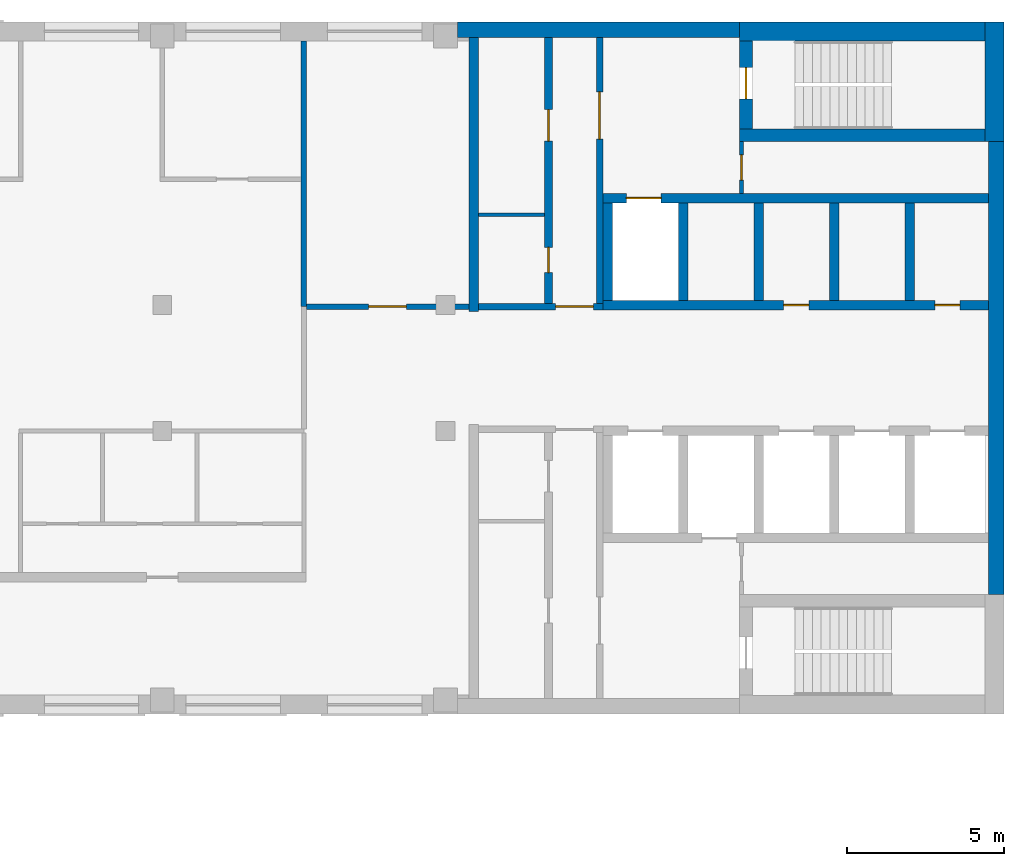
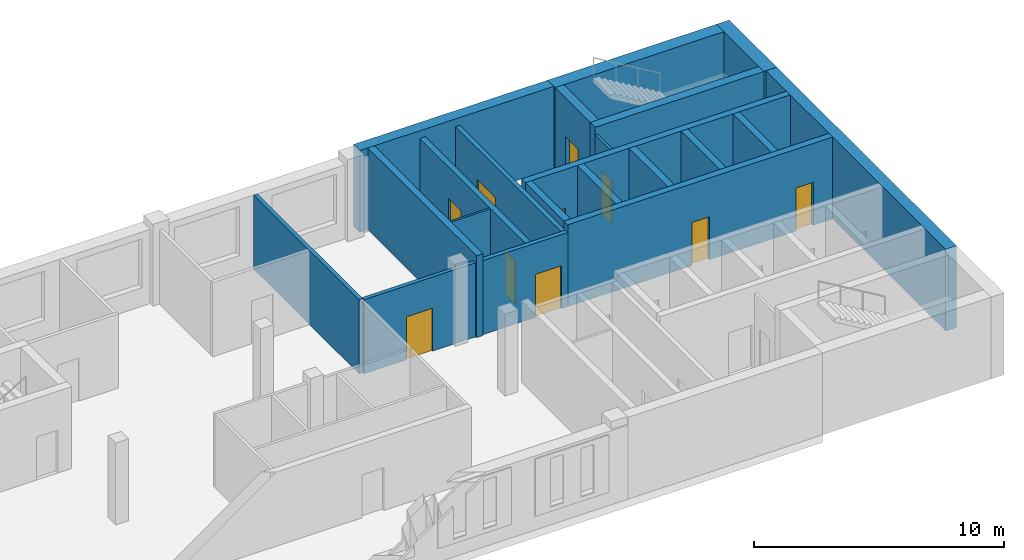
# One storey, part 6 of 8: 21 walls, 10 doors, 10 openings.
"""IFC4 building model written with IfcOpenShell, lengths in metres."""

from ifc_helpers import new_model, si_unit, direction, frame, frame_2d, origin, place, context, subcontext, project, spatial, rectangle, extrude, material, layer, layer_set, type_object, element, fill, save


model = new_model("IFC4")

# Units and contexts
model_context = context("Model", 3, precision=1e-05, world=origin(), true_north=direction((0.0, 1.0)))
body_context = subcontext(model_context, "Body", "Model", "MODEL_VIEW")
ifc_project = project(units=[si_unit("LENGTHUNIT", "METRE"), si_unit("AREAUNIT", "SQUARE_METRE"), si_unit("VOLUMEUNIT", "CUBIC_METRE"), si_unit("PLANEANGLEUNIT", "RADIAN"), si_unit("MASSUNIT", "GRAM", prefix="KILO")], contexts=[model_context])

# Site, building, storey
site_placement = place(None, origin())
site = spatial("IfcSite", under=ifc_project, at=site_placement, CompositionType="ELEMENT")
building_placement = place(site_placement, origin())
building = spatial("IfcBuilding", under=site, at=building_placement, Name="Skarvind Civic Tower", CompositionType="ELEMENT")
storey_placement = place(building_placement, frame((0.0, 0.0, 200.0)))
storey = spatial("IfcBuildingStorey", under=building, at=storey_placement, Name="L47", CompositionType="ELEMENT", Elevation=200.0)

# Wall
ifc_material_1 = material(Name="Acoustic gypsum board on steel studs", Category="steel")
ifc_layer_1 = layer(ifc_material_1, 0.175048828125)
ifc_layer_set_1 = layer_set([ifc_layer_1], Name="ACOUSTIC MEETING-ROOM PARTITION 175")
wall_type_1 = type_object("IfcWallType", Name="ACOUSTIC MEETING-ROOM PARTITION 175", PredefinedType="PARTITIONING", material=ifc_layer_set_1)
wall_1_placement = place(storey_placement, frame((85.75, 129.949951171875, 0.0), z_axis=(0.0, 0.0, 1.0), x_axis=(0.0, 1.0, 0.0)))
element("IfcWall", 1, at=wall_1_placement, inside=storey, type_object=wall_type_1, Name="Partition 47.033", PredefinedType="PARTITIONING", context=body_context, shape_type="SweptSolid", body=[
    extrude(rectangle(XDim=8.449951171875, YDim=0.175048828125, at=frame_2d((4.22509765625, 0.0))), origin(), (0.0, 0.0, 1.0), 3.625),
])

# Wall, opening, door
wall_2_placement = place(storey_placement, frame((85.837890625, 129.949951171875, 0.0), z_axis=(0.0, 0.0, 1.0), x_axis=(1.0, 0.0, 0.0)))
wall_2 = element("IfcWall", 2, at=wall_2_placement, inside=storey, type_object=wall_type_1, Name="Partition 47.035", PredefinedType="PARTITIONING", context=body_context, shape_type="SweptSolid", body=[
    extrude(rectangle(XDim=5.162109375, YDim=0.175048828125, at=frame_2d((2.5810546875, 0.0))), origin(), (0.0, 0.0, 1.0), 3.625),
])
opening_1_placement = place(wall_2_placement, frame((1.970947265625, 0.0, 0.0)))
opening_1 = element("IfcOpeningElement", 3, at=opening_1_placement, cuts=wall_2, Name="Opening L47-D001", PredefinedType="OPENING", context=body_context, shape_type="SweptSolid", body=[
    extrude(rectangle(XDim=1.199951171875, YDim=2.10009765625, at=frame_2d((0.60009765625, 1.050048828125))), frame((0.0, 0.097412109375, 0.0), z_axis=(0.0, -1.0, 0.0), x_axis=(1.0, 0.0, 0.0)), (0.0, 0.0, 1.0), 0.195068359375),
])
ifc_material_2 = material(Name="Timber door leaf", Category="wood")
door_type_1 = type_object("IfcDoorType", Name="DOOR 1200X2100 DOUBLE TIMBER", OperationType="NOTDEFINED", PredefinedType="DOOR", material=ifc_material_2)
door_1_placement = place(opening_1_placement, origin())
door_1 = element("IfcDoor", 4, at=door_1_placement, inside=storey, type_object=door_type_1, Name="Door L47-D001", OperationType="DOUBLE_DOOR_SINGLE_SWING", OverallHeight=2.10009765625, OverallWidth=1.199951171875, PredefinedType="DOOR", context=body_context, shape_type="SweptSolid", body=[
    extrude(rectangle(XDim=1.199951171875, YDim=2.10009765625, at=frame_2d((0.60009765625, 1.050048828125))), frame((0.0, 0.02490234375, 0.0), z_axis=(0.0, -1.0, 0.0), x_axis=(1.0, 0.0, 0.0)), (0.0, 0.0, 1.0), 0.050048828125),
])
fill(opening_1, door_1)

ifc_material_3 = material(Name="Fire-rated masonry partition", Category="masonry")
ifc_layer_2 = layer(ifc_material_3, 0.199951171875)
ifc_layer_set_2 = layer_set([ifc_layer_2], Name="Core enclosure wall 200")
wall_type_2 = type_object("IfcWallType", Name="Core enclosure wall 200", PredefinedType="PARTITIONING", material=ifc_layer_set_2)
wall_3_placement = place(storey_placement, frame((91.300048828125, 129.949951171875, 0.0), z_axis=(0.0, 0.0, 1.0), x_axis=(1.0, 0.0, 0.0)))
wall_3 = element("IfcWall", 5, at=wall_3_placement, inside=storey, type_object=wall_type_2, Name="Core wall C1", PredefinedType="PARTITIONING", context=body_context, shape_type="SweptSolid", body=[
    extrude(rectangle(XDim=3.949951171875, YDim=0.199951171875, at=frame_2d((1.97509765625, 0.0))), origin(), (0.0, 0.0, 1.0), 3.625),
])
opening_2_placement = place(wall_3_placement, frame((2.449951171875, 0.0, 0.0)))
opening_2 = element("IfcOpeningElement", 6, at=opening_2_placement, cuts=wall_3, Name="Opening D-L47-C1-13", PredefinedType="OPENING", context=body_context, shape_type="SweptSolid", body=[
    extrude(rectangle(XDim=1.199951171875, YDim=2.10009765625, at=frame_2d((0.60009765625, 1.050048828125))), frame((0.0, 0.10986328125, 0.0), z_axis=(0.0, -1.0, 0.0), x_axis=(1.0, 0.0, 0.0)), (0.0, 0.0, 1.0), 0.219970703125),
])
ifc_material_4 = material(Name="Fire-rated steel door", Category="steel")
door_type_2 = type_object("IfcDoorType", Name="Core lobby door 1200", OperationType="NOTDEFINED", PredefinedType="DOOR", material=ifc_material_4)
door_2_placement = place(opening_2_placement, origin())
door_2 = element("IfcDoor", 7, at=door_2_placement, inside=storey, type_object=door_type_2, Name="Fire door", OperationType="DOUBLE_DOOR_SINGLE_SWING", OverallHeight=2.10009765625, OverallWidth=1.199951171875, PredefinedType="DOOR", context=body_context, shape_type="SweptSolid", body=[
    extrude(rectangle(XDim=1.199951171875, YDim=2.10009765625, at=frame_2d((0.60009765625, 1.050048828125))), frame((0.0, 0.02490234375, 0.0), z_axis=(0.0, -1.0, 0.0), x_axis=(1.0, 0.0, 0.0)), (0.0, 0.0, 1.0), 0.050048828125),
])
fill(opening_2, door_2)

wall_4_placement = place(storey_placement, frame((95.14990234375, 130.050048828125, 0.0), z_axis=(0.0, 0.0, 1.0), x_axis=(0.0, 1.0, 0.0)))
wall_4 = element("IfcWall", 8, at=wall_4_placement, inside=storey, type_object=wall_type_2, Name="Core wall C1", PredefinedType="PARTITIONING", context=body_context, shape_type="SweptSolid", body=[
    extrude(rectangle(XDim=8.449951171875, YDim=0.199951171875, at=frame_2d((4.22509765625, 0.0))), origin(), (0.0, 0.0, 1.0), 3.625),
])
opening_3_placement = place(wall_4_placement, frame((5.22509765625, 0.0, 0.0)))
opening_3 = element("IfcOpeningElement", 9, at=opening_3_placement, cuts=wall_4, Name="Opening D-L47-C1-14", PredefinedType="OPENING", context=body_context, shape_type="SweptSolid", body=[
    extrude(rectangle(XDim=1.5, YDim=2.10009765625, at=frame_2d((0.75, 1.050048828125))), frame((0.0, 0.10986328125, 0.0), z_axis=(0.0, -1.0, 0.0), x_axis=(1.0, 0.0, 0.0)), (0.0, 0.0, 1.0), 0.219970703125),
])
door_type_3 = type_object("IfcDoorType", Name="Fire door 1500", OperationType="NOTDEFINED", PredefinedType="DOOR", material=ifc_material_4)
door_3_placement = place(opening_3_placement, origin())
door_3 = element("IfcDoor", 10, at=door_3_placement, inside=storey, type_object=door_type_3, Name="Fire door", OperationType="DOUBLE_DOOR_SINGLE_SWING", OverallHeight=2.10009765625, OverallWidth=1.5, PredefinedType="DOOR", context=body_context, shape_type="SweptSolid", body=[
    extrude(rectangle(XDim=1.5, YDim=2.10009765625, at=frame_2d((0.75, 1.050048828125))), frame((0.0, 0.02490234375, 0.0), z_axis=(0.0, -1.0, 0.0), x_axis=(1.0, 0.0, 0.0)), (0.0, 0.0, 1.0), 0.050048828125),
])
fill(opening_3, door_3)

# Wall
ifc_material_5 = material(Name="Fire-rated plasterboard partition")
ifc_layer_3 = layer(ifc_material_5, 0.10009765625)
ifc_layer_set_3 = layer_set([ifc_layer_3], Name="Core partition wall 100")
wall_type_3 = type_object("IfcWallType", Name="Core partition wall 100", PredefinedType="PARTITIONING", material=ifc_layer_set_3)
wall_5_placement = place(storey_placement, frame((91.300048828125, 132.8701171875, 0.0), z_axis=(0.0, 0.0, 1.0), x_axis=(1.0, 0.0, 0.0)))
element("IfcWall", 11, at=wall_5_placement, inside=storey, type_object=wall_type_3, Name="Core wall C1", PredefinedType="PARTITIONING", context=body_context, shape_type="SweptSolid", body=[
    extrude(rectangle(XDim=2.099853515625, YDim=0.10009765625, at=frame_2d((1.0498046875, 0.0))), origin(), (0.0, 0.0, 1.0), 3.625),
])

# Wall, openings, doors
ifc_material_6 = material(Name="Concrete C60", Category="concrete")
ifc_layer_4 = layer(ifc_material_6, 0.300048828125)
ifc_layer_set_4 = layer_set([ifc_layer_4], Name="Core wall 300 C60")
wall_type_4 = type_object("IfcWallType", Name="Core wall 300 C60", PredefinedType="SHEAR", material=ifc_layer_set_4)
wall_6_placement = place(storey_placement, frame((107.5, 130.0, 0.0), z_axis=(0.0, 0.0, 1.0), x_axis=(-1.0, 0.0, 0.0)))
wall_6 = element("IfcWall", 12, at=wall_6_placement, inside=storey, type_object=wall_type_4, Name="Core wall C1 south lift row front L47", PredefinedType="SHEAR", context=body_context, shape_type="SweptSolid", body=[
    extrude(rectangle(XDim=12.25, YDim=0.300048828125, at=frame_2d((6.125, 0.0))), origin(), (0.0, 0.0, 1.0), 4.0),
])
opening_4_placement = place(wall_6_placement, frame((0.89990234375, 0.0, 0.0)))
opening_4 = element("IfcOpeningElement", 13, at=opening_4_placement, cuts=wall_6, Name="Opening D-L47-C1-05", PredefinedType="OPENING", context=body_context, shape_type="SweptSolid", body=[
    extrude(rectangle(XDim=0.800048828125, YDim=2.10009765625, at=frame_2d((0.39990234375, 1.050048828125))), frame((0.0, 0.159912109375, 0.0), z_axis=(0.0, -1.0, 0.0), x_axis=(1.0, 0.0, 0.0)), (0.0, 0.0, 1.0), 0.320068359375),
])
opening_5_placement = place(wall_6_placement, frame((5.699951171875, 0.0, 0.0)))
opening_5 = element("IfcOpeningElement", 14, at=opening_5_placement, cuts=wall_6, Name="Opening D-L47-C1-06", PredefinedType="OPENING", context=body_context, shape_type="SweptSolid", body=[
    extrude(rectangle(XDim=0.800048828125, YDim=2.10009765625, at=frame_2d((0.39990234375, 1.050048828125))), frame((0.0, 0.159912109375, 0.0), z_axis=(0.0, -1.0, 0.0), x_axis=(1.0, 0.0, 0.0)), (0.0, 0.0, 1.0), 0.320068359375),
])
door_type_4 = type_object("IfcDoorType", Name="Core riser door 800", OperationType="NOTDEFINED", PredefinedType="DOOR", material=ifc_material_4)
door_4_placement = place(opening_4_placement, origin())
door_4 = element("IfcDoor", 15, at=door_4_placement, inside=storey, type_object=door_type_4, Name="Riser door", OperationType="SINGLE_SWING_LEFT", OverallHeight=2.10009765625, OverallWidth=0.800048828125, PredefinedType="DOOR", context=body_context, shape_type="SweptSolid", body=[
    extrude(rectangle(XDim=0.800048828125, YDim=2.10009765625, at=frame_2d((0.39990234375, 1.050048828125))), frame((0.0, 0.02490234375, 0.0), z_axis=(0.0, -1.0, 0.0), x_axis=(1.0, 0.0, 0.0)), (0.0, 0.0, 1.0), 0.050048828125),
])
fill(opening_4, door_4)
door_5_placement = place(opening_5_placement, origin())
door_5 = element("IfcDoor", 16, at=door_5_placement, inside=storey, type_object=door_type_4, Name="Riser door", OperationType="SINGLE_SWING_RIGHT", OverallHeight=2.10009765625, OverallWidth=0.800048828125, PredefinedType="DOOR", context=body_context, shape_type="SweptSolid", body=[
    extrude(rectangle(XDim=0.800048828125, YDim=2.10009765625, at=frame_2d((0.39990234375, 1.050048828125))), frame((0.0, 0.02490234375, 0.0), z_axis=(0.0, -1.0, 0.0), x_axis=(1.0, 0.0, 0.0)), (0.0, 0.0, 1.0), 0.050048828125),
])
fill(opening_5, door_5)

# Wall, opening, door
wall_7_placement = place(storey_placement, frame((107.5, 133.39990234375, 0.0), z_axis=(0.0, 0.0, 1.0), x_axis=(-1.0, 0.0, 0.0)))
wall_7 = element("IfcWall", 17, at=wall_7_placement, inside=storey, type_object=wall_type_4, Name="Core wall C1 south lift row back L47", PredefinedType="SHEAR", context=body_context, shape_type="SweptSolid", body=[
    extrude(rectangle(XDim=12.25, YDim=0.300048828125, at=frame_2d((6.125, 0.0))), origin(), (0.0, 0.0, 1.0), 4.0),
])
opening_6_placement = place(wall_7_placement, frame((10.39990234375, 0.0, 0.0)))
opening_6 = element("IfcOpeningElement", 18, at=opening_6_placement, cuts=wall_7, Name="Opening LD49110", PredefinedType="OPENING", context=body_context, shape_type="SweptSolid", body=[
    extrude(rectangle(XDim=1.10009765625, YDim=2.10009765625, at=frame_2d((0.550048828125, 1.050048828125))), frame((0.0, 0.159912109375, 0.0), z_axis=(0.0, -1.0, 0.0), x_axis=(1.0, 0.0, 0.0)), (0.0, 0.0, 1.0), 0.320068359375),
])
ifc_material_7 = material(Name="Stainless steel landing door", Category="steel")
door_type_5 = type_object("IfcDoorType", Name="Lift landing door 1100", OperationType="DOUBLE_DOOR_SLIDING", PredefinedType="DOOR", material=ifc_material_7)
door_6_placement = place(opening_6_placement, origin())
door_6 = element("IfcDoor", 19, at=door_6_placement, inside=storey, type_object=door_type_5, Name="Lift landing door", OperationType="DOUBLE_DOOR_SLIDING", OverallHeight=2.10009765625, OverallWidth=1.10009765625, PredefinedType="DOOR", context=body_context, shape_type="SweptSolid", body=[
    extrude(rectangle(XDim=1.10009765625, YDim=2.10009765625, at=frame_2d((0.550048828125, 1.050048828125))), frame((0.0, 0.02490234375, 0.0), z_axis=(0.0, -1.0, 0.0), x_axis=(1.0, 0.0, 0.0)), (0.0, 0.0, 1.0), 0.050048828125),
])
fill(opening_6, door_6)

# Walls
for number, where, z_axis, x_axis, name in (
    (20, (105.0, 133.25, 0.0), (0.0, 0.0, 1.0), (0.0, -1.0, 0.0), "Core wall C1 south lift row division 1 L47"),
    (21, (102.60009765625, 133.25, 0.0), (0.0, 0.0, 1.0), (0.0, -1.0, 0.0), "Core wall C1 south lift row division 2 L47"),
    (22, (100.199951171875, 133.25, 0.0), (0.0, 0.0, 1.0), (0.0, -1.0, 0.0), "Core wall C1 south lift row division 3 L47"),
    (23, (97.800048828125, 133.25, 0.0), (0.0, 0.0, 1.0), (0.0, -1.0, 0.0), "Core wall C1 south lift row division 4 L47"),
    (24, (95.39990234375, 133.25, 0.0), (0.0, 0.0, 1.0), (0.0, -1.0, 0.0), "Core wall C1 south lift row division 5 L47"),
):
    element("IfcWall", number, at=place(storey_placement, frame(where, z_axis=z_axis, x_axis=x_axis)), inside=storey, type_object=wall_type_4, Name=name, PredefinedType="SHEAR", context=body_context, shape_type="SweptSolid", body=[
        extrude(rectangle(XDim=3.10009765625, YDim=0.300048828125, at=frame_2d((1.550048828125, 0.0))), origin(), (0.0, 0.0, 1.0), 4.0),
    ])
wall_8_placement = place(storey_placement, frame((91.14990234375, 138.5, 0.0), z_axis=(0.0, 0.0, 1.0), x_axis=(0.0, -1.0, 0.0)))
element("IfcWall", 25, at=wall_8_placement, inside=storey, type_object=wall_type_4, Name="Core wall C1 south inner face L47", PredefinedType="SHEAR", context=body_context, shape_type="SweptSolid", body=[
    extrude(rectangle(XDim=8.699951171875, YDim=0.300048828125, at=frame_2d((4.35009765625, 0.0))), origin(), (0.0, 0.0, 1.0), 4.0),
])
ifc_layer_5 = layer(ifc_material_6, 0.39990234375)
ifc_layer_set_5 = layer_set([ifc_layer_5], Name="Core wall 400 C60")
wall_type_5 = type_object("IfcWallType", Name="Core wall 400 C60", PredefinedType="SHEAR", material=ifc_layer_set_5)
wall_9_placement = place(storey_placement, frame((107.39990234375, 135.39990234375, 0.0), z_axis=(0.0, 0.0, 1.0), x_axis=(-1.0, 0.0, 0.0)))
element("IfcWall", 26, at=wall_9_placement, inside=storey, type_object=wall_type_5, Name="Core wall C1 south stair inner L47", PredefinedType="SHEAR", context=body_context, shape_type="SweptSolid", body=[
    extrude(rectangle(XDim=7.7998046875, YDim=0.39990234375, at=frame_2d((3.89990234375, 0.0))), origin(), (0.0, 0.0, 1.0), 4.0),
])

# Wall, opening, door
wall_10_placement = place(storey_placement, frame((99.800048828125, 138.39990234375, 0.0), z_axis=(0.0, 0.0, 1.0), x_axis=(0.0, -1.0, 0.0)))
wall_10 = element("IfcWall", 27, at=wall_10_placement, inside=storey, type_object=wall_type_5, Name="Core wall C1 south stair end L47", PredefinedType="SHEAR", context=body_context, shape_type="SweptSolid", body=[
    extrude(rectangle(XDim=2.7998046875, YDim=0.39990234375, at=frame_2d((1.39990234375, 0.0))), origin(), (0.0, 0.0, 1.0), 4.0),
])
opening_7_placement = place(wall_10_placement, frame((0.85009765625, 0.0, 0.0)))
opening_7 = element("IfcOpeningElement", 28, at=opening_7_placement, cuts=wall_10, Name="Opening D-L47-C1-15", PredefinedType="OPENING", context=body_context, shape_type="SweptSolid", body=[
    extrude(rectangle(XDim=1.0, YDim=2.10009765625, at=frame_2d((0.5, 1.050048828125))), frame((0.0, 0.2099609375, 0.0), z_axis=(0.0, -1.0, 0.0), x_axis=(1.0, 0.0, 0.0)), (0.0, 0.0, 1.0), 0.419921875),
])
door_type_6 = type_object("IfcDoorType", Name="Fire door 1000", OperationType="NOTDEFINED", PredefinedType="DOOR", material=ifc_material_4)
door_7_placement = place(opening_7_placement, origin())
door_7 = element("IfcDoor", 29, at=door_7_placement, inside=storey, type_object=door_type_6, Name="Fire door", OperationType="SINGLE_SWING_RIGHT", OverallHeight=2.10009765625, OverallWidth=1.0, PredefinedType="DOOR", context=body_context, shape_type="SweptSolid", body=[
    extrude(rectangle(XDim=1.0, YDim=2.10009765625, at=frame_2d((0.5, 1.050048828125))), frame((0.0, 0.02490234375, 0.0), z_axis=(0.0, -1.0, 0.0), x_axis=(1.0, 0.0, 0.0)), (0.0, 0.0, 1.0), 0.050048828125),
])
fill(opening_7, door_7)

# Walls
ifc_layer_6 = layer(ifc_material_6, 0.5)
ifc_layer_set_6 = layer_set([ifc_layer_6], Name="Core wall 500 C60")
wall_type_6 = type_object("IfcWallType", Name="Core wall 500 C60", PredefinedType="SHEAR", material=ifc_layer_set_6)
wall_11_placement = place(storey_placement, frame((107.75, 135.199951171875, 0.0), z_axis=(0.0, 0.0, 1.0), x_axis=(0.0, -1.0, 0.0)))
element("IfcWall", 30, at=wall_11_placement, inside=storey, type_object=wall_type_6, Name="Core wall C1 tip between the stairs L47", PredefinedType="SHEAR", context=body_context, shape_type="SweptSolid", body=[
    extrude(rectangle(XDim=14.39990234375, YDim=0.5, at=frame_2d((7.199951171875, 0.0))), origin(), (0.0, 0.0, 1.0), 4.0),
])
wall_12_placement = place(storey_placement, frame((99.60009765625, 138.75, 0.0), z_axis=(0.0, 0.0, 1.0), x_axis=(-1.0, 0.0, 0.0)))
element("IfcWall", 31, at=wall_12_placement, inside=storey, type_object=wall_type_6, Name="Core wall C1 south side L47", PredefinedType="SHEAR", context=body_context, shape_type="SweptSolid", body=[
    extrude(rectangle(XDim=8.97509765625, YDim=0.5, at=frame_2d((4.487548828125, 0.0))), origin(), (0.0, 0.0, 1.0), 4.0),
])
ifc_layer_7 = layer(ifc_material_6, 0.60009765625)
ifc_layer_set_7 = layer_set([ifc_layer_7], Name="Core wall 600 C60")
wall_type_7 = type_object("IfcWallType", Name="Core wall 600 C60", PredefinedType="SHEAR", material=ifc_layer_set_7)
wall_13_placement = place(storey_placement, frame((107.699951171875, 139.0, 0.0), z_axis=(0.0, 0.0, 1.0), x_axis=(0.0, -1.0, 0.0)))
element("IfcWall", 32, at=wall_13_placement, inside=storey, type_object=wall_type_7, Name="Core wall C1 tip at the south stair L47", PredefinedType="SHEAR", context=body_context, shape_type="SweptSolid", body=[
    extrude(rectangle(XDim=3.800048828125, YDim=0.60009765625, at=frame_2d((1.89990234375, 0.0))), origin(), (0.0, 0.0, 1.0), 4.0),
])
wall_14_placement = place(storey_placement, frame((107.39990234375, 138.699951171875, 0.0), z_axis=(0.0, 0.0, 1.0), x_axis=(-1.0, 0.0, 0.0)))
element("IfcWall", 33, at=wall_14_placement, inside=storey, type_object=wall_type_7, Name="Core wall C1 south side at the stair L47", PredefinedType="SHEAR", context=body_context, shape_type="SweptSolid", body=[
    extrude(rectangle(XDim=7.7998046875, YDim=0.60009765625, at=frame_2d((3.89990234375, 0.0))), origin(), (0.0, 0.0, 1.0), 4.0),
])

# Wall, opening, door
ifc_layer_8 = layer(ifc_material_3, 0.125)
ifc_layer_set_8 = layer_set([ifc_layer_8], Name="Riser wall 125")
wall_type_8 = type_object("IfcWallType", Name="Riser wall 125", PredefinedType="PARTITIONING", material=ifc_layer_set_8)
wall_15_placement = place(storey_placement, frame((99.66259765625, 133.550048828125, 0.0), z_axis=(0.0, 0.0, 1.0), x_axis=(0.0, 1.0, 0.0)))
wall_15 = element("IfcWall", 34, at=wall_15_placement, inside=storey, type_object=wall_type_8, Name="Core wall C1", PredefinedType="PARTITIONING", context=body_context, shape_type="SweptSolid", body=[
    extrude(rectangle(XDim=1.64990234375, YDim=0.125, at=frame_2d((0.824951171875, 0.0))), origin(), (0.0, 0.0, 1.0), 3.625),
])
opening_8_placement = place(wall_15_placement, frame((0.425048828125, 0.0, 0.0)))
opening_8 = element("IfcOpeningElement", 35, at=opening_8_placement, cuts=wall_15, Name="Opening D-L47-C1-16", PredefinedType="OPENING", context=body_context, shape_type="SweptSolid", body=[
    extrude(rectangle(XDim=0.800048828125, YDim=2.10009765625, at=frame_2d((0.39990234375, 1.050048828125))), frame((0.0, 0.072509765625, 0.0), z_axis=(0.0, -1.0, 0.0), x_axis=(1.0, 0.0, 0.0)), (0.0, 0.0, 1.0), 0.14501953125),
])
door_8_placement = place(opening_8_placement, origin())
door_8 = element("IfcDoor", 36, at=door_8_placement, inside=storey, type_object=door_type_4, Name="Riser door", OperationType="SINGLE_SWING_LEFT", OverallHeight=2.10009765625, OverallWidth=0.800048828125, PredefinedType="DOOR", context=body_context, shape_type="SweptSolid", body=[
    extrude(rectangle(XDim=0.800048828125, YDim=2.10009765625, at=frame_2d((0.39990234375, 1.050048828125))), frame((0.0, 0.02490234375, 0.0), z_axis=(0.0, -1.0, 0.0), x_axis=(1.0, 0.0, 0.0)), (0.0, 0.0, 1.0), 0.050048828125),
])
fill(opening_8, door_8)

# Wall, openings, doors
ifc_layer_9 = layer(ifc_material_3, 0.25)
ifc_layer_set_9 = layer_set([ifc_layer_9], Name="Service block wall 250")
wall_type_9 = type_object("IfcWallType", Name="Service block wall 250", PredefinedType="PARTITIONING", material=ifc_layer_set_9)
wall_16_placement = place(storey_placement, frame((93.52490234375, 130.050048828125, 0.0), z_axis=(0.0, 0.0, 1.0), x_axis=(0.0, 1.0, 0.0)))
wall_16 = element("IfcWall", 37, at=wall_16_placement, inside=storey, type_object=wall_type_9, Name="Core wall C1", PredefinedType="PARTITIONING", context=body_context, shape_type="SweptSolid", body=[
    extrude(rectangle(XDim=8.449951171875, YDim=0.25, at=frame_2d((4.22509765625, 0.0))), origin(), (0.0, 0.0, 1.0), 3.625),
])
opening_9_placement = place(wall_16_placement, frame((0.985107421875, 0.0, 0.0)))
opening_9 = element("IfcOpeningElement", 38, at=opening_9_placement, cuts=wall_16, Name="Opening D-L47-C1-17", PredefinedType="OPENING", context=body_context, shape_type="SweptSolid", body=[
    extrude(rectangle(XDim=0.800048828125, YDim=2.10009765625, at=frame_2d((0.39990234375, 1.050048828125))), frame((0.0, 0.135009765625, 0.0), z_axis=(0.0, -1.0, 0.0), x_axis=(1.0, 0.0, 0.0)), (0.0, 0.0, 1.0), 0.27001953125),
])
opening_10_placement = place(wall_16_placement, frame((5.159912109375, 0.0, 0.0)))
opening_10 = element("IfcOpeningElement", 39, at=opening_10_placement, cuts=wall_16, Name="Opening D-L47-C1-18", PredefinedType="OPENING", context=body_context, shape_type="SweptSolid", body=[
    extrude(rectangle(XDim=1.0, YDim=2.10009765625, at=frame_2d((0.5, 1.050048828125))), frame((0.0, 0.135009765625, 0.0), z_axis=(0.0, -1.0, 0.0), x_axis=(1.0, 0.0, 0.0)), (0.0, 0.0, 1.0), 0.27001953125),
])
door_9_placement = place(opening_9_placement, origin())
door_9 = element("IfcDoor", 40, at=door_9_placement, inside=storey, type_object=door_type_4, Name="Riser door", OperationType="SINGLE_SWING_RIGHT", OverallHeight=2.10009765625, OverallWidth=0.800048828125, PredefinedType="DOOR", context=body_context, shape_type="SweptSolid", body=[
    extrude(rectangle(XDim=0.800048828125, YDim=2.10009765625, at=frame_2d((0.39990234375, 1.050048828125))), frame((0.0, 0.02490234375, 0.0), z_axis=(0.0, -1.0, 0.0), x_axis=(1.0, 0.0, 0.0)), (0.0, 0.0, 1.0), 0.050048828125),
])
fill(opening_9, door_9)
door_10_placement = place(opening_10_placement, origin())
door_10 = element("IfcDoor", 41, at=door_10_placement, inside=storey, type_object=door_type_6, Name="Fire door", OperationType="SINGLE_SWING_LEFT", OverallHeight=2.10009765625, OverallWidth=1.0, PredefinedType="DOOR", context=body_context, shape_type="SweptSolid", body=[
    extrude(rectangle(XDim=1.0, YDim=2.10009765625, at=frame_2d((0.5, 1.050048828125))), frame((0.0, 0.02490234375, 0.0), z_axis=(0.0, -1.0, 0.0), x_axis=(1.0, 0.0, 0.0)), (0.0, 0.0, 1.0), 0.050048828125),
])
fill(opening_10, door_10)

save(model, "model.ifc")
